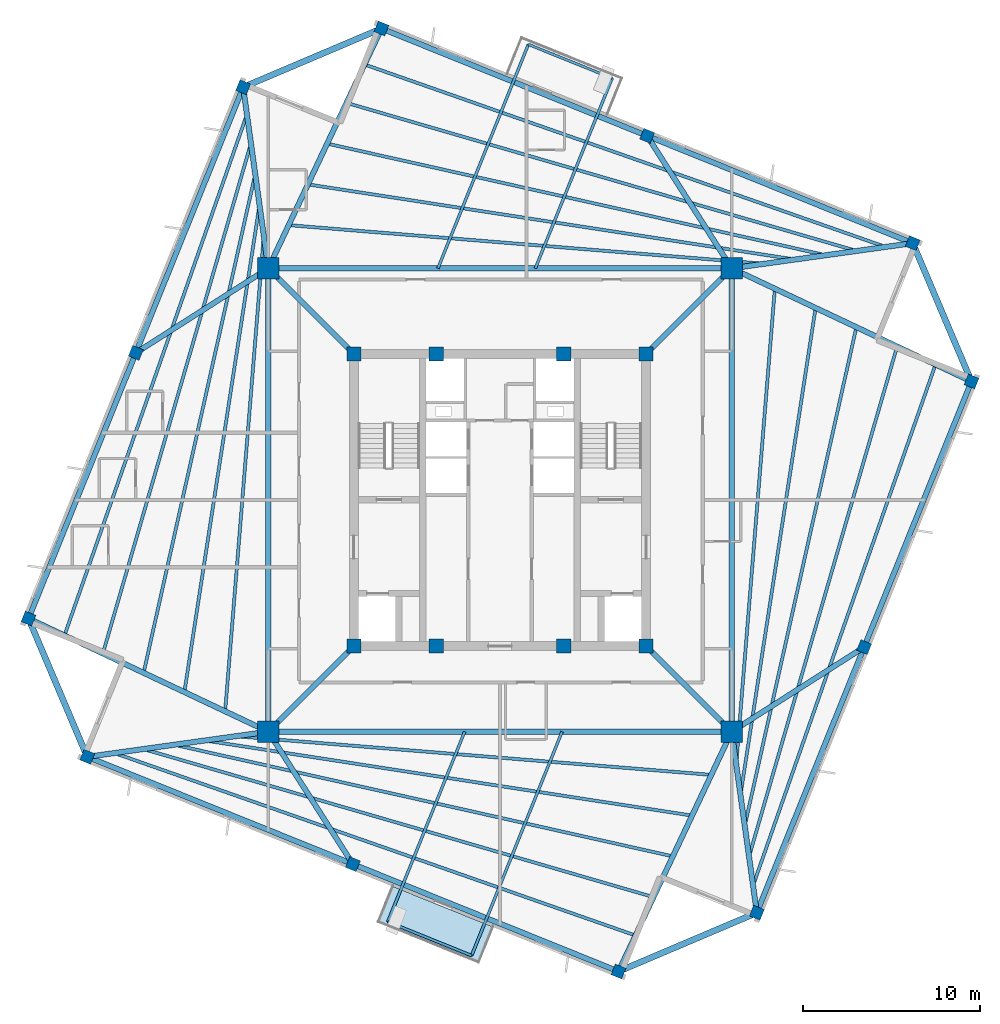
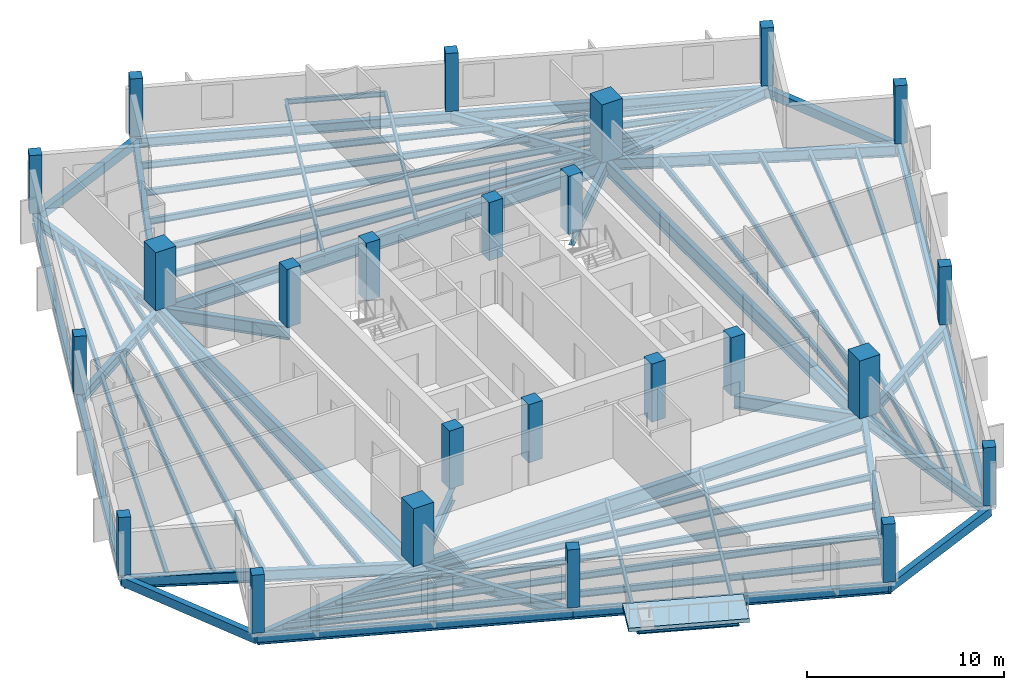
# One storey, part 1 of 8: 58 beams, 24 columns, 1 slab.
"""IFC4 building model written with IfcOpenShell, lengths in metres."""

from ifc_helpers import new_model, si_unit, direction, frame, origin, origin_2d, place, context, subcontext, project, spatial, polyline, rectangle, i_section, outline, extrude, source, transform, mapped, material, layer, layer_set, material_profile, profile_set, type_object, element, save


model = new_model("IFC4")

# Units and contexts
model_context = context("Model", 3, precision=1e-05, world=origin(), true_north=direction((0.0, 1.0)))
body_context = subcontext(model_context, "Body", "Model", "MODEL_VIEW")
ifc_project = project(units=[si_unit("LENGTHUNIT", "METRE"), si_unit("AREAUNIT", "SQUARE_METRE"), si_unit("VOLUMEUNIT", "CUBIC_METRE"), si_unit("PLANEANGLEUNIT", "RADIAN"), si_unit("MASSUNIT", "GRAM", prefix="KILO"), si_unit("THERMODYNAMICTEMPERATUREUNIT", "KELVIN")], contexts=[model_context])

# Site, building, storey
site_placement = place(None, origin())
site = spatial("IfcSite", under=ifc_project, at=site_placement, CompositionType="ELEMENT")
building_placement = place(site_placement, origin())
building = spatial("IfcBuilding", under=site, at=building_placement, Name="Kosmvard Interchange Tower", CompositionType="ELEMENT")
storey_placement = place(building_placement, frame((0.0, 0.0, 286.800048828125)))
storey = spatial("IfcBuildingStorey", under=building, at=storey_placement, Name="L70", CompositionType="ELEMENT", Elevation=286.800048828125)

# Columns
ifc_material_1 = material(Name="Concrete C50/60", Category="concrete")
ifc_material_profile_1 = material_profile(ifc_material_1, rectangle(XDim=0.800048828125, YDim=0.800048828125, at=origin_2d()), Name="CP 800x800")
ifc_profile_set_1 = profile_set([ifc_material_profile_1], Name="Concrete C50/60")
column_type_1 = type_object("IfcColumnType", Name="Core Boundary Pilaster 800x800 C50/60", PredefinedType="PILASTER", material=ifc_profile_set_1)
shared_shape_1 = source(origin(), body_context, "Body", "SweptSolid", [
    extrude(rectangle(XDim=0.800048828125, YDim=0.800048828125, at=origin_2d()), origin(), (0.0, 0.0, 1.0), 3.599853515625),
])
for number, where, z_axis, x_axis, name in (
    (1, (-8.25, -8.25, 0.0), (0.0, 0.0, 1.0), (1.0, 0.0, 0.0), "L70 Core Pilaster CP1"),
    (2, (8.25, -8.25, 0.0), (0.0, 0.0, 1.0), (1.0, 0.0, 0.0), "L70 Core Pilaster CP2"),
    (3, (8.25, 8.25, 0.0), (0.0, 0.0, 1.0), (1.0, 0.0, 0.0), "L70 Core Pilaster CP3"),
    (4, (-8.25, 8.25, 0.0), (0.0, 0.0, 1.0), (1.0, 0.0, 0.0), "L70 Core Pilaster CP4"),
    (5, (-3.60009765625, -8.25, 0.0), (0.0, 0.0, 1.0), (1.0, 0.0, 0.0), "L70 Core Pilaster CP5"),
    (6, (3.60009765625, -8.25, 0.0), (0.0, 0.0, 1.0), (1.0, 0.0, 0.0), "L70 Core Pilaster CP6"),
    (7, (-3.60009765625, 8.25, 0.0), (0.0, 0.0, 1.0), (1.0, 0.0, 0.0), "L70 Core Pilaster CP7"),
    (8, (3.60009765625, 8.25, 0.0), (0.0, 0.0, 1.0), (1.0, 0.0, 0.0), "L70 Core Pilaster CP8"),
):
    element("IfcColumn", number, at=place(storey_placement, frame(where, z_axis=z_axis, x_axis=x_axis)), inside=storey, type_object=column_type_1, Name=name, PredefinedType="PILASTER", context=body_context, shape_type="MappedRepresentation", body=[
        mapped(shared_shape_1, transform((0.0, 0.0, 0.0), scale=1.0)),
    ])
ifc_material_profile_2 = material_profile(ifc_material_1, rectangle(XDim=1.199951171875, YDim=1.199951171875, at=origin_2d()), Name="MC 1200x1200")
ifc_profile_set_2 = profile_set([ifc_material_profile_2], Name="Concrete C50/60")
column_type_2 = type_object("IfcColumnType", Name="Composite Mega-Column 1200x1200 C50/60", PredefinedType="COLUMN", material=ifc_profile_set_2)
shared_shape_2 = source(origin(), body_context, "Body", "SweptSolid", [
    extrude(rectangle(XDim=1.199951171875, YDim=1.199951171875, at=origin_2d()), origin(), (0.0, 0.0, 1.0), 3.599853515625),
])
for number, where, z_axis, x_axis, name in (
    (9, (-13.0810546875, -13.0810546875, 0.0), (0.0, 0.0, 1.0), (1.0, 0.0, 0.0), "L70 Corner Mega-Column MC1"),
    (10, (13.0810546875, -13.0810546875, 0.0), (0.0, 0.0, 1.0), (1.0, 0.0, 0.0), "L70 Corner Mega-Column MC2"),
    (11, (13.0810546875, 13.0810546875, 0.0), (0.0, 0.0, 1.0), (1.0, 0.0, 0.0), "L70 Corner Mega-Column MC3"),
    (12, (-13.0810546875, 13.0810546875, 0.0), (0.0, 0.0, 1.0), (1.0, 0.0, 0.0), "L70 Corner Mega-Column MC4"),
):
    element("IfcColumn", number, at=place(storey_placement, frame(where, z_axis=z_axis, x_axis=x_axis)), inside=storey, type_object=column_type_2, Name=name, PredefinedType="COLUMN", context=body_context, shape_type="MappedRepresentation", body=[
        mapped(shared_shape_2, transform((0.0, 0.0, 0.0), scale=1.0)),
    ])
ifc_material_profile_3 = material_profile(ifc_material_1, rectangle(XDim=0.64990234375, YDim=0.64990234375, at=origin_2d()), Name="TC 650x650")
ifc_profile_set_3 = profile_set([ifc_material_profile_3], Name="Concrete C50/60")
column_type_3 = type_object("IfcColumnType", Name="Zone 5 Perimeter Pier Column 650x650 C50/60", PredefinedType="COLUMN", material=ifc_profile_set_3)
shared_shape_3 = source(origin(), body_context, "Body", "SweptSolid", [
    extrude(rectangle(XDim=0.64990234375, YDim=0.64990234375, at=origin_2d()), origin(), (0.0, 0.0, 1.0), 3.599853515625),
])
for number, where, z_axis, x_axis, name in (
    (13, (14.5009765625, -23.30419921875, 0.0), (0.0, 0.0, 1.0), (0.374606593416, 0.927183854567, 0.0), "L70 Perimeter Pier Column TC-S1"),
    (14, (20.560302734375, -8.306884765625, 0.0), (0.0, 0.0, 1.0), (0.374606593416, 0.927183854567, 0.0), "L70 Perimeter Pier Column TC-S2"),
    (15, (26.61962890625, 6.690185546875, 0.0), (0.0, 0.0, 1.0), (0.374606593416, 0.927183854567, 0.0), "L70 Perimeter Pier Column TC-S3"),
    (16, (23.30419921875, 14.5009765625, 0.0), (0.0, 0.0, 1.0), (0.374606593416, 0.927183854567, 0.0), "L70 Perimeter Pier Column TC-E1"),
    (17, (8.306884765625, 20.560302734375, 0.0), (0.0, 0.0, 1.0), (0.374606593416, 0.927183854567, 0.0), "L70 Perimeter Pier Column TC-E2"),
    (18, (-6.690185546875, 26.61962890625, 0.0), (0.0, 0.0, 1.0), (0.374606593416, 0.927183854567, 0.0), "L70 Perimeter Pier Column TC-E3"),
    (19, (-14.5009765625, 23.30419921875, 0.0), (0.0, 0.0, 1.0), (0.374606593416, 0.927183854567, 0.0), "L70 Perimeter Pier Column TC-N1"),
    (20, (-20.560302734375, 8.306884765625, 0.0), (0.0, 0.0, 1.0), (0.374606593416, 0.927183854567, 0.0), "L70 Perimeter Pier Column TC-N2"),
    (21, (-26.61962890625, -6.690185546875, 0.0), (0.0, 0.0, 1.0), (0.374606593416, 0.927183854567, 0.0), "L70 Perimeter Pier Column TC-N3"),
    (22, (-23.30419921875, -14.5009765625, 0.0), (0.0, 0.0, 1.0), (0.374606593416, 0.927183854567, 0.0), "L70 Perimeter Pier Column TC-W1"),
    (23, (-8.306884765625, -20.560302734375, 0.0), (0.0, 0.0, 1.0), (0.374606593416, 0.927183854567, 0.0), "L70 Perimeter Pier Column TC-W2"),
    (24, (6.690185546875, -26.61962890625, 0.0), (0.0, 0.0, 1.0), (0.374606593416, 0.927183854567, 0.0), "L70 Perimeter Pier Column TC-W3"),
):
    element("IfcColumn", number, at=place(storey_placement, frame(where, z_axis=z_axis, x_axis=x_axis)), inside=storey, type_object=column_type_3, Name=name, PredefinedType="COLUMN", context=body_context, shape_type="MappedRepresentation", body=[
        mapped(shared_shape_3, transform((0.0, 0.0, 0.0), scale=1.0)),
    ])

# Beams
ifc_material_2 = material(Name="Steel S355", Category="steel")
ifc_material_profile_4 = material_profile(ifc_material_2, i_section(OverallWidth=0.14990234375, OverallDepth=0.300048828125, WebThickness=0.007080078125, FlangeThickness=0.0107421875, FilletRadius=0.014892578125, at=origin_2d()), Name="IPE 300")
ifc_profile_set_4 = profile_set([ifc_material_profile_4], Name="Steel S355")
beam_type_1 = type_object("IfcBeamType", Name="Balcony Edge Header Joist IPE 300 S355", PredefinedType="JOIST", material=ifc_profile_set_4)
shared_shape_4 = source(origin(), body_context, "Body", "SweptSolid", [
    extrude(i_section(OverallWidth=0.14990234375, OverallDepth=0.300048828125, WebThickness=0.007080078125, FlangeThickness=0.0107421875, FilletRadius=0.014892578125, at=origin_2d()), origin(), (0.0, 0.0, 1.0), 5.10009765625),
])
for number, where, z_axis, x_axis, name in (
    (25, (6.331298828125, 23.812255859375, -0.400146484375), (-0.927193563684, 0.37458256161, 0.0), (-0.37458256161, -0.927193563684, 0.0), "BM-L70-BJH1"),
    (26, (-6.331298828125, -23.812255859375, -0.400146484375), (0.927193563684, -0.37458256161, 0.0), (0.37458256161, 0.927193563684, 0.0), "BM-L70-BJH2"),
):
    element("IfcBeam", number, at=place(storey_placement, frame(where, z_axis=z_axis, x_axis=x_axis)), inside=storey, type_object=beam_type_1, Name=name, PredefinedType="JOIST", context=body_context, shape_type="MappedRepresentation", body=[
        mapped(shared_shape_4, transform((0.0, 0.0, 0.0), scale=1.0)),
    ])
ifc_material_profile_5 = material_profile(ifc_material_2, i_section(OverallWidth=0.300048828125, OverallDepth=0.800048828125, WebThickness=0.017578125, FlangeThickness=0.032958984375, FilletRadius=0.027099609375, at=origin_2d()), Name="HEB 800")
ifc_profile_set_5 = profile_set([ifc_material_profile_5], Name="Steel S355")
beam_type_2 = type_object("IfcBeamType", Name="Primary Mega-Frame Girder HEB 800 S355", PredefinedType="BEAM", material=ifc_profile_set_5)
shared_shape_5 = source(origin(), body_context, "Body", "SweptSolid", [
    extrude(i_section(OverallWidth=0.300048828125, OverallDepth=0.800048828125, WebThickness=0.017578125, FlangeThickness=0.032958984375, FilletRadius=0.027099609375, at=origin_2d()), origin(), (0.0, 0.0, 1.0), 6.83203125),
])
for number, where, z_axis, x_axis, name in (
    (27, (-8.25, -8.25, -0.650146484375), (-0.707106781187, -0.707106781187, 0.0), (0.707106781187, -0.707106781187, 0.0), "L70 Radial Mega-Frame Girder 1"),
    (28, (8.25, -8.25, -0.650146484375), (0.707106781187, -0.707106781187, 0.0), (0.707106781187, 0.707106781187, 0.0), "L70 Radial Mega-Frame Girder 2"),
    (29, (8.25, 8.25, -0.650146484375), (0.707106781187, 0.707106781187, 0.0), (-0.707106781187, 0.707106781187, 0.0), "L70 Radial Mega-Frame Girder 3"),
    (30, (-8.25, 8.25, -0.650146484375), (-0.707106781187, 0.707106781187, 0.0), (-0.707106781187, -0.707106781187, 0.0), "L70 Radial Mega-Frame Girder 4"),
):
    element("IfcBeam", number, at=place(storey_placement, frame(where, z_axis=z_axis, x_axis=x_axis)), inside=storey, type_object=beam_type_2, Name=name, PredefinedType="BEAM", context=body_context, shape_type="MappedRepresentation", body=[
        mapped(shared_shape_5, transform((0.0, 0.0, 0.0), scale=1.0)),
    ])
ifc_material_profile_6 = material_profile(ifc_material_2, i_section(OverallWidth=0.300048828125, OverallDepth=0.89990234375, WebThickness=0.0185546875, FlangeThickness=0.034912109375, FilletRadius=0.030029296875, at=origin_2d()), Name="HEB 900")
ifc_profile_set_6 = profile_set([ifc_material_profile_6], Name="Steel S355")
beam_type_3 = type_object("IfcBeamType", Name="Mega-Column Ring Girder HEB 900 S355", PredefinedType="BEAM", material=ifc_profile_set_6)
shared_shape_6 = source(origin(), body_context, "Body", "SweptSolid", [
    extrude(i_section(OverallWidth=0.300048828125, OverallDepth=0.89990234375, WebThickness=0.0185546875, FlangeThickness=0.034912109375, FilletRadius=0.030029296875, at=origin_2d()), origin(), (0.0, 0.0, 1.0), 26.162109375),
])
for number, where, z_axis, x_axis, name in (
    (31, (-13.0810546875, -13.0810546875, -0.699951171875), (1.0, 0.0, 0.0), (0.0, 1.0, 0.0), "L70 Mega-Column Ring Girder 1"),
    (32, (13.0810546875, -13.0810546875, -0.699951171875), (0.0, 1.0, 0.0), (-1.0, 0.0, 0.0), "L70 Mega-Column Ring Girder 2"),
    (33, (13.0810546875, 13.0810546875, -0.699951171875), (-1.0, 0.0, 0.0), (0.0, -1.0, 0.0), "L70 Mega-Column Ring Girder 3"),
    (34, (-13.0810546875, 13.0810546875, -0.699951171875), (0.0, -1.0, 0.0), (1.0, 0.0, 0.0), "L70 Mega-Column Ring Girder 4"),
):
    element("IfcBeam", number, at=place(storey_placement, frame(where, z_axis=z_axis, x_axis=x_axis)), inside=storey, type_object=beam_type_3, Name=name, PredefinedType="BEAM", context=body_context, shape_type="MappedRepresentation", body=[
        mapped(shared_shape_6, transform((0.0, 0.0, 0.0), scale=1.0)),
    ])
ifc_material_profile_7 = material_profile(ifc_material_2, i_section(OverallWidth=0.300048828125, OverallDepth=0.60009765625, WebThickness=0.015380859375, FlangeThickness=0.030029296875, FilletRadius=0.027099609375, at=origin_2d()), Name="HEB 600")
ifc_profile_set_7 = profile_set([ifc_material_profile_7], Name="Steel S355")
beam_type_4 = type_object("IfcBeamType", Name="Perimeter Tie Girder HEB 600 S355", PredefinedType="BEAM", material=ifc_profile_set_7)
shared_shape_7 = source(origin(), body_context, "Body", "SweptSolid", [
    extrude(i_section(OverallWidth=0.300048828125, OverallDepth=0.60009765625, WebThickness=0.015380859375, FlangeThickness=0.030029296875, FilletRadius=0.027099609375, at=origin_2d()), origin(), (0.0, 0.0, 1.0), 16.175048828125),
])
for number, where, z_axis, x_axis, name in (
    (35, (14.5009765625, -23.30419921875, -0.550048828125), (0.374607540279, 0.927183472009, 0.0), (-0.927183472009, 0.374607540279, 0.0), "BM-L70-PR01"),
    (36, (23.30419921875, 14.5009765625, -0.550048828125), (-0.927183472009, 0.374607540279, 0.0), (-0.374607540279, -0.927183472009, 0.0), "BM-L70-PR04"),
    (37, (-14.5009765625, 23.30419921875, -0.550048828125), (-0.374607540279, -0.927183472009, 0.0), (0.927183472009, -0.374607540279, 0.0), "BM-L70-PR07"),
    (38, (-23.30419921875, -14.5009765625, -0.550048828125), (0.927183472009, -0.374607540279, 0.0), (0.374607540279, 0.927183472009, 0.0), "BM-L70-PR10"),
):
    element("IfcBeam", number, at=place(storey_placement, frame(where, z_axis=z_axis, x_axis=x_axis)), inside=storey, type_object=beam_type_4, Name=name, PredefinedType="BEAM", context=body_context, shape_type="MappedRepresentation", body=[
        mapped(shared_shape_7, transform((0.0, 0.0, 0.0), scale=1.0)),
    ])
ifc_material_profile_8 = material_profile(ifc_material_2, i_section(OverallWidth=0.300048828125, OverallDepth=0.64990234375, WebThickness=0.01611328125, FlangeThickness=0.031005859375, FilletRadius=0.027099609375, at=origin_2d()), Name="HEB 650")
ifc_profile_set_8 = profile_set([ifc_material_profile_8], Name="Steel S355")
beam_type_5 = type_object("IfcBeamType", Name="Primary Floor Girder HEB 650 S355", PredefinedType="BEAM", material=ifc_profile_set_8)
shared_shape_8 = source(origin(), body_context, "Body", "SweptSolid", [
    extrude(i_section(OverallWidth=0.300048828125, OverallDepth=0.64990234375, WebThickness=0.01611328125, FlangeThickness=0.031005859375, FilletRadius=0.027099609375, at=origin_2d()), origin(), (0.0, 0.0, 1.0), 10.3212890625),
])
for number, where, z_axis, x_axis, name in (
    (39, (13.0810546875, -13.0810546875, -0.574951171875), (0.137572239014, -0.990491735984, 0.0), (0.990491735984, 0.137572239014, 0.0), "BM-L70-RD01"),
    (40, (13.0810546875, 13.0810546875, -0.574951171875), (0.990491735984, 0.137572239014, 0.0), (-0.137572239014, 0.990491735984, 0.0), "BM-L70-RD04"),
    (41, (-13.0810546875, 13.0810546875, -0.574951171875), (-0.137572239014, 0.990491735984, 0.0), (-0.990491735984, -0.137572239014, 0.0), "BM-L70-RD07"),
    (42, (-13.0810546875, -13.0810546875, -0.574951171875), (-0.990491735984, -0.137572239014, 0.0), (0.137572239014, -0.990491735984, 0.0), "BM-L70-RD10"),
):
    element("IfcBeam", number, at=place(storey_placement, frame(where, z_axis=z_axis, x_axis=x_axis)), inside=storey, type_object=beam_type_5, Name=name, PredefinedType="BEAM", context=body_context, shape_type="MappedRepresentation", body=[
        mapped(shared_shape_8, transform((0.0, 0.0, 0.0), scale=1.0)),
    ])
shared_shape_9 = source(origin(), body_context, "Body", "SweptSolid", [
    extrude(i_section(OverallWidth=0.300048828125, OverallDepth=0.60009765625, WebThickness=0.015380859375, FlangeThickness=0.030029296875, FilletRadius=0.027099609375, at=origin_2d()), origin(), (0.0, 0.0, 1.0), 16.1748046875),
])
for number, where, z_axis, x_axis, name in (
    (43, (20.560302734375, -8.306884765625, -0.550048828125), (0.374612782798, 0.92718135387, 0.0), (-0.92718135387, 0.374612782798, 0.0), "BM-L70-PR02"),
    (44, (8.306884765625, 20.560302734375, -0.550048828125), (-0.92718135387, 0.374612782798, 0.0), (-0.374612782798, -0.92718135387, 0.0), "BM-L70-PR05"),
    (45, (-20.560302734375, 8.306884765625, -0.550048828125), (-0.374612782798, -0.92718135387, 0.0), (0.92718135387, -0.374612782798, 0.0), "BM-L70-PR08"),
    (46, (-8.306884765625, -20.560302734375, -0.550048828125), (0.92718135387, -0.374612782798, 0.0), (0.374612782798, 0.92718135387, 0.0), "BM-L70-PR11"),
):
    element("IfcBeam", number, at=place(storey_placement, frame(where, z_axis=z_axis, x_axis=x_axis)), inside=storey, type_object=beam_type_4, Name=name, PredefinedType="BEAM", context=body_context, shape_type="MappedRepresentation", body=[
        mapped(shared_shape_9, transform((0.0, 0.0, 0.0), scale=1.0)),
    ])
shared_shape_10 = source(origin(), body_context, "Body", "SweptSolid", [
    extrude(i_section(OverallWidth=0.300048828125, OverallDepth=0.64990234375, WebThickness=0.01611328125, FlangeThickness=0.031005859375, FilletRadius=0.027099609375, at=origin_2d()), origin(), (0.0, 0.0, 1.0), 8.873046875),
])
for number, where, z_axis, x_axis, name in (
    (47, (13.0810546875, -13.0810546875, -0.574951171875), (0.842912916934, 0.538050011119, 0.0), (-0.538050011119, 0.842912916934, 0.0), "BM-L70-RD02"),
    (48, (13.0810546875, 13.0810546875, -0.574951171875), (-0.538050011119, 0.842912916934, 0.0), (-0.842912916934, -0.538050011119, 0.0), "BM-L70-RD05"),
    (49, (-13.0810546875, 13.0810546875, -0.574951171875), (-0.842912916934, -0.538050011119, 0.0), (0.538050011119, -0.842912916934, 0.0), "BM-L70-RD08"),
    (50, (-13.0810546875, -13.0810546875, -0.574951171875), (0.538050011119, -0.842912916934, 0.0), (0.842912916934, 0.538050011119, 0.0), "BM-L70-RD11"),
):
    element("IfcBeam", number, at=place(storey_placement, frame(where, z_axis=z_axis, x_axis=x_axis)), inside=storey, type_object=beam_type_5, Name=name, PredefinedType="BEAM", context=body_context, shape_type="MappedRepresentation", body=[
        mapped(shared_shape_10, transform((0.0, 0.0, 0.0), scale=1.0)),
    ])
ifc_material_3 = material(Name="Precast concrete C45/55", Category="concrete")
ifc_material_profile_9 = material_profile(ifc_material_3, rectangle(XDim=0.35009765625, YDim=0.550048828125, at=origin_2d()), Name="SL 350x550")
ifc_profile_set_9 = profile_set([ifc_material_profile_9], Name="Precast concrete C45/55")
beam_type_6 = type_object("IfcBeamType", Name="Precast Spandrel Lintel 350x550 C45/55", PredefinedType="LINTEL", material=ifc_profile_set_9)
shared_shape_11 = source(origin(), body_context, "Body", "SweptSolid", [
    extrude(rectangle(XDim=0.35009765625, YDim=0.550048828125, at=origin_2d()), origin(), (0.0, 0.0, 1.0), 8.4853515625),
])
for number, where, z_axis, x_axis, name in (
    (51, (26.61962890625, 6.690185546875, -0.525146484375), (-0.390725696857, 0.920507159025, 0.0), (-0.920507159025, -0.390725696857, 0.0), "BM-L70-SL1"),
    (52, (-6.690185546875, 26.61962890625, -0.525146484375), (-0.920507159025, -0.390725696857, 0.0), (0.390725696857, -0.920507159025, 0.0), "BM-L70-SL2"),
    (53, (-26.61962890625, -6.690185546875, -0.525146484375), (0.390725696857, -0.920507159025, 0.0), (0.920507159025, 0.390725696857, 0.0), "BM-L70-SL3"),
    (54, (6.690185546875, -26.61962890625, -0.525146484375), (0.920507159025, 0.390725696857, 0.0), (-0.390725696857, 0.920507159025, 0.0), "BM-L70-SL4"),
):
    element("IfcBeam", number, at=place(storey_placement, frame(where, z_axis=z_axis, x_axis=x_axis)), inside=storey, type_object=beam_type_6, Name=name, PredefinedType="LINTEL", context=body_context, shape_type="MappedRepresentation", body=[
        mapped(shared_shape_11, transform((0.0, 0.0, 0.0), scale=1.0)),
    ])
ifc_material_profile_10 = material_profile(ifc_material_2, i_section(OverallWidth=0.300048828125, OverallDepth=0.699951171875, WebThickness=0.01708984375, FlangeThickness=0.031982421875, FilletRadius=0.027099609375, at=origin_2d()), Name="HEB 700")
ifc_profile_set_10 = profile_set([ifc_material_profile_10], Name="Steel S355")
beam_type_7 = type_object("IfcBeamType", Name="Primary Floor Girder HEB 700 S355", PredefinedType="BEAM", material=ifc_profile_set_10)
shared_shape_12 = source(origin(), body_context, "Body", "SweptSolid", [
    extrude(i_section(OverallWidth=0.300048828125, OverallDepth=0.699951171875, WebThickness=0.01708984375, FlangeThickness=0.031982421875, FilletRadius=0.027099609375, at=origin_2d()), origin(), (0.0, 0.0, 1.0), 14.97119140625),
])
for number, where, z_axis, x_axis, name in (
    (55, (13.0810546875, 13.0810546875, -0.60009765625), (0.904309155001, -0.426878146761, 0.0), (0.426878146761, 0.904309155001, 0.0), "BM-L70-RD03"),
    (56, (-13.0810546875, 13.0810546875, -0.60009765625), (0.426878146761, 0.904309155001, 0.0), (-0.904309155001, 0.426878146761, 0.0), "BM-L70-RD06"),
    (57, (-13.0810546875, -13.0810546875, -0.60009765625), (-0.904309155001, 0.426878146761, 0.0), (-0.426878146761, -0.904309155001, 0.0), "BM-L70-RD09"),
    (58, (13.0810546875, -13.0810546875, -0.60009765625), (-0.426878146761, -0.904309155001, 0.0), (0.904309155001, -0.426878146761, 0.0), "BM-L70-RD12"),
):
    element("IfcBeam", number, at=place(storey_placement, frame(where, z_axis=z_axis, x_axis=x_axis)), inside=storey, type_object=beam_type_7, Name=name, PredefinedType="BEAM", context=body_context, shape_type="MappedRepresentation", body=[
        mapped(shared_shape_12, transform((0.0, 0.0, 0.0), scale=1.0)),
    ])
ifc_material_profile_11 = material_profile(ifc_material_2, i_section(OverallWidth=0.179931640625, OverallDepth=0.39990234375, WebThickness=0.008544921875, FlangeThickness=0.013427734375, FilletRadius=0.02099609375, at=origin_2d()), Name="IPE 400")
ifc_profile_set_11 = profile_set([ifc_material_profile_11], Name="Steel S355")
beam_type_8 = type_object("IfcBeamType", Name="Upper-Zone Floor Joist IPE 400 S355", PredefinedType="JOIST", material=ifc_profile_set_11)
shared_shape_13 = source(origin(), body_context, "Body", "SweptSolid", [
    extrude(i_section(OverallWidth=0.179931640625, OverallDepth=0.39990234375, WebThickness=0.008544921875, FlangeThickness=0.013427734375, FilletRadius=0.02099609375, at=origin_2d()), origin(), (0.0, 0.0, 1.0), 26.780029296875),
])
for number, where, z_axis, x_axis, name in (
    (59, (13.343017578125, -14.84130859375, -0.449951171875), (0.080972773487, 0.996716313679, 0.0), (-0.996716313679, 0.080972773487, 0.0), "BM-L70-FJ01"),
    (60, (14.84130859375, 13.343017578125, -0.449951171875), (-0.996716313679, 0.080972773487, 0.0), (-0.080972773487, -0.996716313679, 0.0), "BM-L70-FJ06"),
    (61, (-13.343017578125, 14.84130859375, -0.449951171875), (-0.080972773487, -0.996716313679, 0.0), (0.996716313679, -0.080972773487, 0.0), "BM-L70-FJ11"),
    (62, (-14.84130859375, -13.343017578125, -0.449951171875), (0.996716313679, -0.080972773487, 0.0), (0.080972773487, 0.996716313679, 0.0), "BM-L70-FJ16"),
):
    element("IfcBeam", number, at=place(storey_placement, frame(where, z_axis=z_axis, x_axis=x_axis)), inside=storey, type_object=beam_type_8, Name=name, PredefinedType="JOIST", context=body_context, shape_type="MappedRepresentation", body=[
        mapped(shared_shape_13, transform((0.0, 0.0, 0.0), scale=1.0)),
    ])
shared_shape_14 = source(origin(), body_context, "Body", "SweptSolid", [
    extrude(i_section(OverallWidth=0.179931640625, OverallDepth=0.39990234375, WebThickness=0.008544921875, FlangeThickness=0.013427734375, FilletRadius=0.02099609375, at=origin_2d()), origin(), (0.0, 0.0, 1.0), 27.66845703125),
])
for number, where, z_axis, x_axis, name in (
    (63, (13.590087890625, -16.580078125, -0.449951171875), (0.152421855854, 0.988315525456, 0.0), (-0.988315525456, 0.152421855854, 0.0), "BM-L70-FJ02"),
    (64, (16.580078125, 13.590087890625, -0.449951171875), (-0.988315525456, 0.152421855854, 0.0), (-0.152421855854, -0.988315525456, 0.0), "BM-L70-FJ07"),
    (65, (-13.590087890625, 16.580078125, -0.449951171875), (-0.152421855854, -0.988315525456, 0.0), (0.988315525456, -0.152421855854, 0.0), "BM-L70-FJ12"),
    (66, (-16.580078125, -13.590087890625, -0.449951171875), (0.988315525456, -0.152421855854, 0.0), (0.152421855854, 0.988315525456, 0.0), "BM-L70-FJ17"),
):
    element("IfcBeam", number, at=place(storey_placement, frame(where, z_axis=z_axis, x_axis=x_axis)), inside=storey, type_object=beam_type_8, Name=name, PredefinedType="JOIST", context=body_context, shape_type="MappedRepresentation", body=[
        mapped(shared_shape_14, transform((0.0, 0.0, 0.0), scale=1.0)),
    ])
shared_shape_15 = source(origin(), body_context, "Body", "SweptSolid", [
    extrude(i_section(OverallWidth=0.179931640625, OverallDepth=0.39990234375, WebThickness=0.008544921875, FlangeThickness=0.013427734375, FilletRadius=0.02099609375, at=origin_2d()), origin(), (0.0, 0.0, 1.0), 28.691162109375),
])
for number, where, z_axis, x_axis, name in (
    (67, (13.8369140625, -18.31884765625, -0.449951171875), (0.218415018158, 0.975855972899, 0.0), (-0.975855972899, 0.218415018158, 0.0), "BM-L70-FJ03"),
    (68, (18.31884765625, 13.8369140625, -0.449951171875), (-0.975855972899, 0.218415018158, 0.0), (-0.218415018158, -0.975855972899, 0.0), "BM-L70-FJ08"),
    (69, (-13.8369140625, 18.31884765625, -0.449951171875), (-0.218415018158, -0.975855972899, 0.0), (0.975855972899, -0.218415018158, 0.0), "BM-L70-FJ13"),
    (70, (-18.31884765625, -13.8369140625, -0.449951171875), (0.975855972899, -0.218415018158, 0.0), (0.218415018158, 0.975855972899, 0.0), "BM-L70-FJ18"),
):
    element("IfcBeam", number, at=place(storey_placement, frame(where, z_axis=z_axis, x_axis=x_axis)), inside=storey, type_object=beam_type_8, Name=name, PredefinedType="JOIST", context=body_context, shape_type="MappedRepresentation", body=[
        mapped(shared_shape_15, transform((0.0, 0.0, 0.0), scale=1.0)),
    ])
shared_shape_16 = source(origin(), body_context, "Body", "SweptSolid", [
    extrude(i_section(OverallWidth=0.179931640625, OverallDepth=0.39990234375, WebThickness=0.008544921875, FlangeThickness=0.013427734375, FilletRadius=0.02099609375, at=origin_2d()), origin(), (0.0, 0.0, 1.0), 29.83544921875),
])
for number, where, z_axis, x_axis, name in (
    (71, (14.0830078125, -20.05810546875, -0.449951171875), (0.27877586881, 0.960356191717, 0.0), (-0.960356191717, 0.27877586881, 0.0), "BM-L70-FJ04"),
    (72, (20.05810546875, 14.0830078125, -0.449951171875), (-0.960356191717, 0.27877586881, 0.0), (-0.27877586881, -0.960356191717, 0.0), "BM-L70-FJ09"),
    (73, (-14.0830078125, 20.05810546875, -0.449951171875), (-0.27877586881, -0.960356191717, 0.0), (0.960356191717, -0.27877586881, 0.0), "BM-L70-FJ14"),
    (74, (-20.05810546875, -14.0830078125, -0.449951171875), (0.960356191717, -0.27877586881, 0.0), (0.27877586881, 0.960356191717, 0.0), "BM-L70-FJ19"),
):
    element("IfcBeam", number, at=place(storey_placement, frame(where, z_axis=z_axis, x_axis=x_axis)), inside=storey, type_object=beam_type_8, Name=name, PredefinedType="JOIST", context=body_context, shape_type="MappedRepresentation", body=[
        mapped(shared_shape_16, transform((0.0, 0.0, 0.0), scale=1.0)),
    ])
shared_shape_17 = source(origin(), body_context, "Body", "SweptSolid", [
    extrude(i_section(OverallWidth=0.179931640625, OverallDepth=0.39990234375, WebThickness=0.008544921875, FlangeThickness=0.013427734375, FilletRadius=0.02099609375, at=origin_2d()), origin(), (0.0, 0.0, 1.0), 31.0107421875),
])
for number, where, z_axis, x_axis, name in (
    (75, (14.314453125, -21.695068359375, -0.449951171875), (0.330459834828, 0.943820055713, 0.0), (-0.943820055713, 0.330459834828, 0.0), "BM-L70-FJ05"),
    (76, (21.695068359375, 14.314453125, -0.449951171875), (-0.943820055713, 0.330459834828, 0.0), (-0.330459834828, -0.943820055713, 0.0), "BM-L70-FJ10"),
    (77, (-14.314453125, 21.695068359375, -0.449951171875), (-0.330459834828, -0.943820055713, 0.0), (0.943820055713, -0.330459834828, 0.0), "BM-L70-FJ15"),
    (78, (-21.695068359375, -14.314453125, -0.449951171875), (0.943820055713, -0.330459834828, 0.0), (0.330459834828, 0.943820055713, 0.0), "BM-L70-FJ20"),
):
    element("IfcBeam", number, at=place(storey_placement, frame(where, z_axis=z_axis, x_axis=x_axis)), inside=storey, type_object=beam_type_8, Name=name, PredefinedType="JOIST", context=body_context, shape_type="MappedRepresentation", body=[
        mapped(shared_shape_17, transform((0.0, 0.0, 0.0), scale=1.0)),
    ])
ifc_material_profile_12 = material_profile(ifc_material_2, i_section(OverallWidth=0.159912109375, OverallDepth=0.330078125, WebThickness=0.007568359375, FlangeThickness=0.011474609375, FilletRadius=0.01806640625, at=origin_2d()), Name="IPE 330")
ifc_profile_set_12 = profile_set([ifc_material_profile_12], Name="Steel S355")
beam_type_9 = type_object("IfcBeamType", Name="Balcony Cantilever Joist IPE 330 S355", PredefinedType="JOIST", material=ifc_profile_set_12)
shared_shape_18 = source(origin(), body_context, "Body", "SweptSolid", [
    extrude(i_section(OverallWidth=0.159912109375, OverallDepth=0.330078125, WebThickness=0.007568359375, FlangeThickness=0.011474609375, FilletRadius=0.01806640625, at=origin_2d()), origin(), (0.0, 0.0, 1.0), 11.573974609375),
])
for number, where, z_axis, x_axis, name in (
    (79, (1.99560546875, 13.0810546875, -0.4150390625), (0.374607087443, 0.927183654967, 0.0), (-0.927183654967, 0.374607087443, 0.0), "BM-L70-BJ1"),
    (80, (-1.99560546875, -13.0810546875, -0.4150390625), (-0.374607087443, -0.927183654967, 0.0), (0.927183654967, -0.374607087443, 0.0), "BM-L70-BJ2"),
):
    element("IfcBeam", number, at=place(storey_placement, frame(where, z_axis=z_axis, x_axis=x_axis)), inside=storey, type_object=beam_type_9, Name=name, PredefinedType="JOIST", context=body_context, shape_type="MappedRepresentation", body=[
        mapped(shared_shape_18, transform((0.0, 0.0, 0.0), scale=1.0)),
    ])
shared_shape_19 = source(origin(), body_context, "Body", "SweptSolid", [
    extrude(i_section(OverallWidth=0.159912109375, OverallDepth=0.330078125, WebThickness=0.007568359375, FlangeThickness=0.011474609375, FilletRadius=0.01806640625, at=origin_2d()), origin(), (0.0, 0.0, 1.0), 13.63427734375),
])
for number, where, z_axis, x_axis, name in (
    (81, (-3.5048828125, 13.0810546875, -0.4150390625), (0.374599235723, 0.927186827234, 0.0), (-0.927186827234, 0.374599235723, 0.0), "BM-L70-BJB1"),
    (82, (3.5048828125, -13.0810546875, -0.4150390625), (-0.374599235723, -0.927186827234, 0.0), (0.927186827234, -0.374599235723, 0.0), "BM-L70-BJB2"),
):
    element("IfcBeam", number, at=place(storey_placement, frame(where, z_axis=z_axis, x_axis=x_axis)), inside=storey, type_object=beam_type_9, Name=name, PredefinedType="JOIST", context=body_context, shape_type="MappedRepresentation", body=[
        mapped(shared_shape_19, transform((0.0, 0.0, 0.0), scale=1.0)),
    ])

# Slab
ifc_layer = layer(ifc_material_1, 0.22998046875, Name="Concrete C50/60")
ifc_layer_set = layer_set([ifc_layer], Name="Concrete C50/60")
slab_type = type_object("IfcSlabType", Name="Tree-Planter Cantilever Balcony Slab 230 C50/60", PredefinedType="FLOOR", material=ifc_layer_set)
slab_placement = place(storey_placement, frame((0.0, 0.0, -0.22998046875)))
element("IfcSlab", 83, at=slab_placement, inside=storey, type_object=slab_type, Name="L70 Outdoor Terrace Balcony Slab BAL-L70-W", PredefinedType="FLOOR", context=body_context, shape_type="SweptSolid", body=[
    extrude(outline(polyline([(-1.186279296875, -26.160400390625), (-0.362060546875, -24.12060546875), (-6.110595703125, -21.798095703125), (-6.934814453125, -23.837890625), (-1.186279296875, -26.160400390625)])), origin(), (0.0, 0.0, 1.0), 0.22998046875),
])

save(model, "model.ifc")
